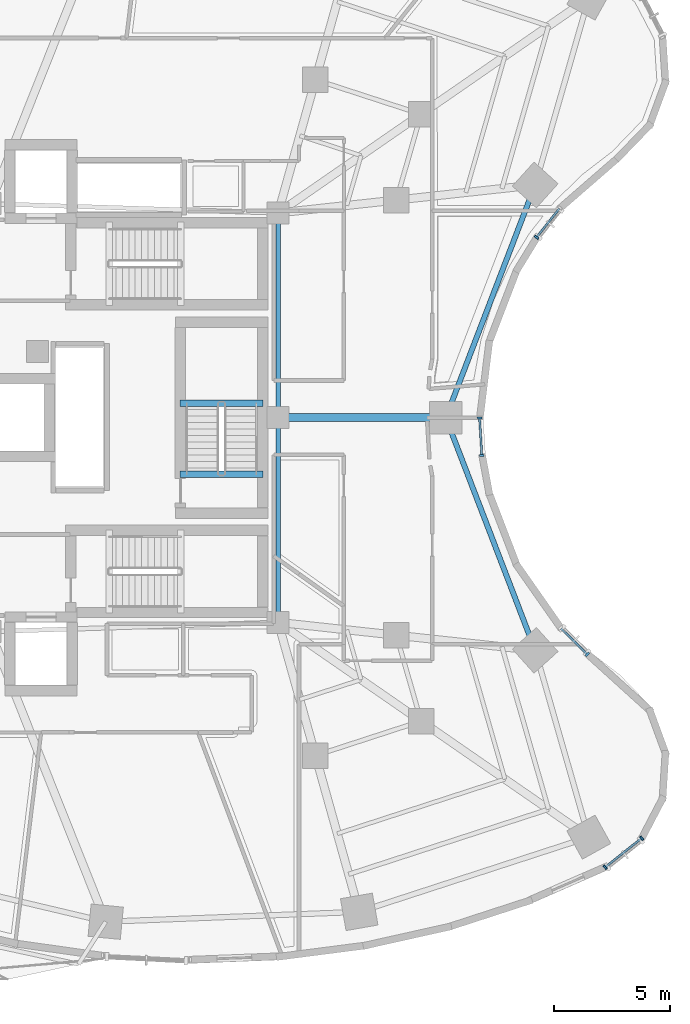
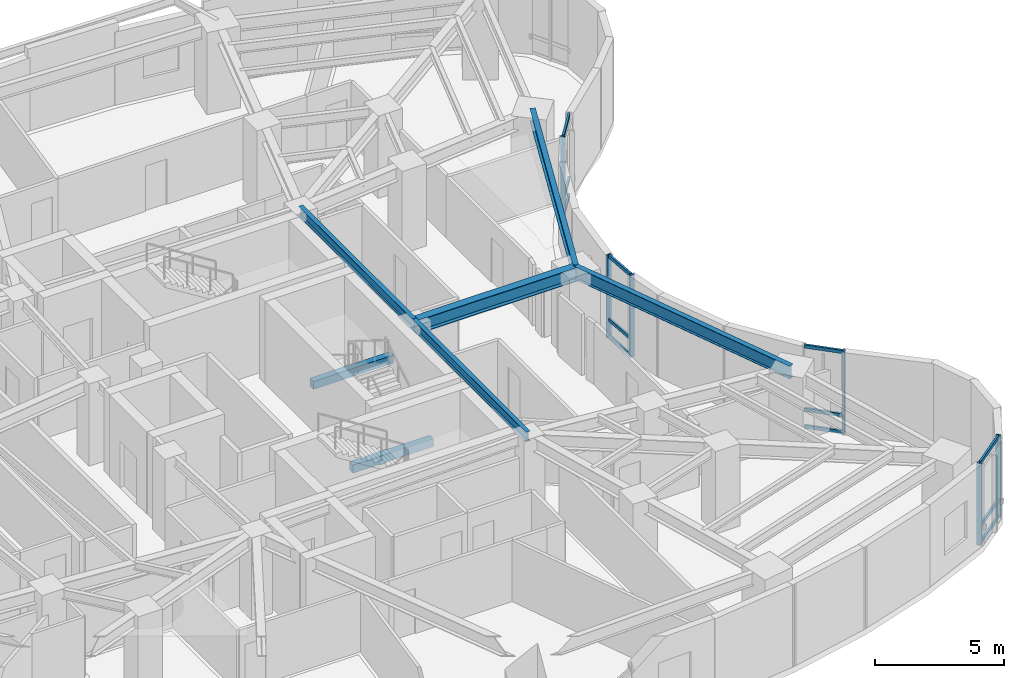
# One storey, part 4 of 16: 18 members, 7 beams, 4 elements without a shape of their own.
"""IFC4 building model written with IfcOpenShell, lengths in metres."""

from ifc_helpers import new_model, si_unit, direction, frame, origin, origin_2d, place, context, subcontext, project, spatial, rectangle, i_section, extrude, material, layer, layer_set, material_profile, profile_set, type_object, element, aggregate, save


model = new_model("IFC4")

# Units and contexts
model_context = context("Model", 3, precision=1e-05, world=origin(), true_north=direction((0.0, 1.0)))
body_context = subcontext(model_context, "Body", "Model", "MODEL_VIEW")
ifc_project = project(units=[si_unit("LENGTHUNIT", "METRE"), si_unit("AREAUNIT", "SQUARE_METRE"), si_unit("VOLUMEUNIT", "CUBIC_METRE"), si_unit("PLANEANGLEUNIT", "RADIAN"), si_unit("MASSUNIT", "GRAM", prefix="KILO")], contexts=[model_context])

# Site, building, storey
site_placement = place(None, origin())
site = spatial("IfcSite", under=ifc_project, at=site_placement, CompositionType="ELEMENT")
building_placement = place(site_placement, origin())
building = spatial("IfcBuilding", under=site, at=building_placement, Name="Korentha Bioscience Tower", CompositionType="ELEMENT")
storey_placement = place(building_placement, frame((0.0, 0.0, 55.199951171875)))
storey = spatial("IfcBuildingStorey", under=building, at=storey_placement, Name="L12", CompositionType="ELEMENT", Elevation=55.199951171875)

# Beams
ifc_material_1 = material(Name="Concrete C50", Category="concrete")
ifc_material_profile_1 = material_profile(ifc_material_1, rectangle(XDim=0.280029296875, YDim=0.3798828125, at=origin_2d()), Name="Concrete C50")
ifc_profile_set_1 = profile_set([ifc_material_profile_1], Name="Concrete C50 (ST-HB380)")
beam_type_1 = type_object("IfcBeamType", Name="Concrete Stair Header Beam RC 280x380", PredefinedType="BEAM", material=ifc_profile_set_1)
for number, where, z_axis, x_axis, name in (
    (1, (36.89990234375, 24.550048828125, -0.18994140625), (-1.0, 0.0, 0.0), (0.0, -1.0, 0.0), "L12 ST-3 Concrete Stair Header Beam"),
    (2, (36.89990234375, 27.6298828125, 1.91015625), (-1.0, 0.0, 0.0), (0.0, -1.0, 0.0), "L12 ST-3 Half-Landing Header Beam 1"),
):
    element("IfcBeam", number, at=place(storey_placement, frame(where, z_axis=z_axis, x_axis=x_axis)), inside=storey, type_object=beam_type_1, Name=name, PredefinedType="BEAM", context=body_context, shape_type="SweptSolid", body=[
        extrude(rectangle(XDim=0.280029296875, YDim=0.3798828125, at=origin_2d()), origin(), (0.0, 0.0, 1.0), 3.599853515625),
    ])
ifc_material_2 = material(Name="Steel S355", Category="steel")
ifc_material_profile_2 = material_profile(ifc_material_2, i_section(OverallWidth=0.18994140625, OverallDepth=0.45703125, WebThickness=0.009033203125, FlangeThickness=0.014404296875, at=origin_2d()), Name="Steel S355")
ifc_profile_set_2 = profile_set([ifc_material_profile_2], Name="Steel S355 (MB-460)")
beam_type_2 = type_object("IfcBeamType", Name="Mid-Ring Tie Girder W460x74", PredefinedType="BEAM", material=ifc_profile_set_2)
for number, where, z_axis, x_axis, name in (
    (3, (37.550048828125, 18.14990234375, 3.671630859375), (0.0, 1.0, 0.0), (-1.0, 0.0, 0.0), "L12 Core Ring Tie Girder 06"),
    (4, (37.550048828125, 27.0, 3.671630859375), (0.0, 1.0, 0.0), (-1.0, 0.0, 0.0), "L12 Core Ring Tie Girder 07"),
):
    element("IfcBeam", number, at=place(storey_placement, frame(where, z_axis=z_axis, x_axis=x_axis)), inside=storey, type_object=beam_type_2, Name=name, PredefinedType="BEAM", context=body_context, shape_type="SweptSolid", body=[
        extrude(i_section(OverallWidth=0.18994140625, OverallDepth=0.45703125, WebThickness=0.009033203125, FlangeThickness=0.014404296875, at=origin_2d()), origin(), (0.0, 0.0, 1.0), 8.85009765625),
    ])

# Curtain wall, members
ifc_material_3 = material(Name="Thermally Broken Aluminium Frame", Category="aluminium")
ifc_layer_1 = layer(ifc_material_3, 0.219970703125, Name="Thermally Broken Aluminium Frame")
ifc_layer_set_1 = layer_set([ifc_layer_1], Name="Thermally Broken Aluminium Frame (CW-T2)")
curtain_wall_type_1 = type_object("IfcCurtainWallType", Name="Solar-Screened Lab Unitised Curtain Wall CW-T2", PredefinedType="USERDEFINED", material=ifc_layer_set_1)
curtain_wall_1_placement = place(storey_placement, origin())
curtain_wall_1 = element("IfcCurtainWall", 5, at=curtain_wall_1_placement, inside=storey, type_object=curtain_wall_type_1, Name="L12 Curtain Wall 37", ObjectType="UNITISED", PredefinedType="USERDEFINED")
ifc_material_4 = material(Name="Anodised Aluminium 6063-T6", Category="aluminium")
ifc_material_profile_3 = material_profile(ifc_material_4, rectangle(XDim=0.090087890625, YDim=0.199951171875, at=origin_2d()), Name="Anodised Aluminium 6063-T6")
ifc_profile_set_3 = profile_set([ifc_material_profile_3], Name="Anodised Aluminium 6063-T6 (CW-MUL)")
member_type_1 = type_object("IfcMemberType", Name="Mullion RECT 90x200", PredefinedType="MULLION", material=ifc_profile_set_3)
member_1_placement = place(storey_placement, frame((51.6865234375, 7.56298828125, 0.0), z_axis=(0.0, 0.0, 1.0), x_axis=(0.782287851332, 0.62291710336, 0.0)))
member_1 = element("IfcMember", 6, at=member_1_placement, type_object=member_type_1, Name="CW-L12-37 Mullion 1", PredefinedType="MULLION", context=body_context, shape_type="SweptSolid", body=[
    extrude(rectangle(XDim=0.090087890625, YDim=0.199951171875, at=origin_2d()), origin(), (0.0, 0.0, 1.0), 3.900146484375),
])
member_2_placement = place(storey_placement, frame((53.264892578125, 8.81982421875, 0.0), z_axis=(0.0, 0.0, 1.0), x_axis=(0.782287851332, 0.62291710336, 0.0)))
member_2 = element("IfcMember", 7, at=member_2_placement, type_object=member_type_1, Name="CW-L12-37 Mullion 2", PredefinedType="MULLION", context=body_context, shape_type="SweptSolid", body=[
    extrude(rectangle(XDim=0.090087890625, YDim=0.199951171875, at=origin_2d()), origin(), (0.0, 0.0, 1.0), 3.900146484375),
])

# Curtain wall, member
curtain_wall_2_placement = place(storey_placement, origin())
curtain_wall_2 = element("IfcCurtainWall", 8, at=curtain_wall_2_placement, inside=storey, type_object=curtain_wall_type_1, Name="L12 Curtain Wall 43", ObjectType="UNITISED", PredefinedType="USERDEFINED")
member_3_placement = place(storey_placement, frame((50.913818359375, 16.76513671875, 0.0), z_axis=(0.0, 0.0, 1.0), x_axis=(-0.713279246754, 0.700879958445, 0.0)))
member_3 = element("IfcMember", 9, at=member_3_placement, type_object=member_type_1, Name="CW-L12-43 Mullion 1", PredefinedType="MULLION", context=body_context, shape_type="SweptSolid", body=[
    extrude(rectangle(XDim=0.090087890625, YDim=0.199951171875, at=origin_2d()), origin(), (0.0, 0.0, 1.0), 3.900146484375),
])

# Curtain wall, members
ifc_layer_2 = layer(ifc_material_3, 0.219970703125, Name="Thermally Broken Aluminium Frame")
ifc_layer_set_2 = layer_set([ifc_layer_2], Name="Thermally Broken Aluminium Frame (CW-T1)")
curtain_wall_type_2 = type_object("IfcCurtainWallType", Name="Standard Bioscience Lab Unitised Curtain Wall CW-T1", PredefinedType="USERDEFINED", material=ifc_layer_set_2)
curtain_wall_3_placement = place(storey_placement, origin())
curtain_wall_3 = element("IfcCurtainWall", 10, at=curtain_wall_3_placement, inside=storey, type_object=curtain_wall_type_2, Name="L12 Curtain Wall 49", ObjectType="UNITISED", PredefinedType="USERDEFINED")
member_4_placement = place(storey_placement, frame((46.355712890625, 25.3603515625, 0.0), z_axis=(0.0, 0.0, 1.0), x_axis=(-0.061008272998, 0.998137260413, 0.0)))
member_4 = element("IfcMember", 11, at=member_4_placement, type_object=member_type_1, Name="CW-L12-49 Mullion 1", PredefinedType="MULLION", context=body_context, shape_type="SweptSolid", body=[
    extrude(rectangle(XDim=0.090087890625, YDim=0.199951171875, at=origin_2d()), origin(), (0.0, 0.0, 1.0), 3.900146484375),
])
member_5_placement = place(storey_placement, frame((46.25634765625, 26.985107421875, 0.0), z_axis=(0.0, 0.0, 1.0), x_axis=(-0.061008272998, 0.998137260413, 0.0)))
member_5 = element("IfcMember", 12, at=member_5_placement, type_object=member_type_1, Name="CW-L12-49 Mullion 2", PredefinedType="MULLION", context=body_context, shape_type="SweptSolid", body=[
    extrude(rectangle(XDim=0.090087890625, YDim=0.199951171875, at=origin_2d()), origin(), (0.0, 0.0, 1.0), 3.900146484375),
])

# Curtain wall, member
curtain_wall_4_placement = place(storey_placement, origin())
curtain_wall_4 = element("IfcCurtainWall", 13, at=curtain_wall_4_placement, inside=storey, type_object=curtain_wall_type_1, Name="L12 Curtain Wall 55", ObjectType="UNITISED", PredefinedType="USERDEFINED")
member_6_placement = place(storey_placement, frame((48.719482421875, 34.7978515625, 0.0), z_axis=(0.0, 0.0, 1.0), x_axis=(0.622520324648, 0.782603632371, 0.0)))
member_6 = element("IfcMember", 14, at=member_6_placement, type_object=member_type_1, Name="CW-L12-55 Mullion 1", PredefinedType="MULLION", context=body_context, shape_type="SweptSolid", body=[
    extrude(rectangle(XDim=0.090087890625, YDim=0.199951171875, at=origin_2d()), origin(), (0.0, 0.0, 1.0), 3.900146484375),
])

# Beams
ifc_material_profile_4 = material_profile(ifc_material_2, i_section(OverallWidth=0.22802734375, OverallDepth=0.60791015625, WebThickness=0.01123046875, FlangeThickness=0.017333984375, at=origin_2d()), Name="Steel S355")
ifc_profile_set_4 = profile_set([ifc_material_profile_4], Name="Steel S355 (SB-610)")
beam_type_3 = type_object("IfcBeamType", Name="Perimeter Ring Spandrel Girder W610x113", PredefinedType="SPANDREL", material=ifc_profile_set_4)
for number, where, z_axis, x_axis, name in (
    (15, (48.661865234375, 16.939208984375, 3.595947265625), (-0.358473520253, 0.93353989485, 0.0), (-0.93353989485, -0.358473520253, 0.0), "L12 Perimeter Spandrel Girder 14"),
    (16, (44.798583984375, 27.0, 3.595947265625), (0.358473520253, 0.93353989485, 0.0), (-0.93353989485, 0.358473520253, 0.0), "L12 Perimeter Spandrel Girder 15"),
):
    element("IfcBeam", number, at=place(storey_placement, frame(where, z_axis=z_axis, x_axis=x_axis)), inside=storey, type_object=beam_type_3, Name=name, PredefinedType="SPANDREL", context=body_context, shape_type="SweptSolid", body=[
        extrude(i_section(OverallWidth=0.22802734375, OverallDepth=0.60791015625, WebThickness=0.01123046875, FlangeThickness=0.017333984375, at=origin_2d()), origin(), (0.0, 0.0, 1.0), 10.777099609375),
    ])
ifc_material_profile_5 = material_profile(ifc_material_2, i_section(OverallWidth=0.35009765625, OverallDepth=0.64990234375, WebThickness=0.01611328125, FlangeThickness=0.02490234375, at=origin_2d()), Name="Steel S355")
ifc_profile_set_5 = profile_set([ifc_material_profile_5], Name="Steel S355 (RB-650)")
beam_type_4 = type_object("IfcBeamType", Name="Radial Laboratory Girder CVS 650x208", PredefinedType="BEAM", material=ifc_profile_set_5)
beam_placement = place(storey_placement, frame((37.550048828125, 27.0, 3.574951171875), z_axis=(1.0, 0.0, 0.0), x_axis=(0.0, 1.0, 0.0)))
element("IfcBeam", 17, at=beam_placement, inside=storey, type_object=beam_type_4, Name="L12 Radial Girder 15", PredefinedType="BEAM", context=body_context, shape_type="SweptSolid", body=[
    extrude(i_section(OverallWidth=0.35009765625, OverallDepth=0.64990234375, WebThickness=0.01611328125, FlangeThickness=0.02490234375, at=origin_2d()), origin(), (0.0, 0.0, 1.0), 7.24853515625),
])

# Member
ifc_material_profile_6 = material_profile(ifc_material_4, rectangle(XDim=0.090087890625, YDim=0.159912109375, at=origin_2d()), Name="Anodised Aluminium 6063-T6")
ifc_profile_set_6 = profile_set([ifc_material_profile_6], Name="Anodised Aluminium 6063-T6 (CW-TRN)")
member_type_2 = type_object("IfcMemberType", Name="Transom RECT 90x160", PredefinedType="USERDEFINED", material=ifc_profile_set_6)
member_7_placement = place(storey_placement, frame((51.7216796875, 7.591064453125, 0.045166015625), z_axis=(0.78232471634, 0.622870803782, 0.0), x_axis=(-0.622870803782, 0.78232471634, 0.0)))
member_7 = element("IfcMember", 18, at=member_7_placement, type_object=member_type_2, Name="CW-L12-37 Bay 1 Transom 1", ObjectType="TRANSOM", PredefinedType="USERDEFINED", context=body_context, shape_type="SweptSolid", body=[
    extrude(rectangle(XDim=0.090087890625, YDim=0.159912109375, at=origin_2d()), origin(), (0.0, 0.0, 1.0), 1.927734375),
])

member_8_placement = place(storey_placement, frame((51.7216796875, 7.591064453125, 0.85009765625), z_axis=(0.78232471634, 0.622870803782, 0.0), x_axis=(-0.622870803782, 0.78232471634, 0.0)))
member_8 = element("IfcMember", 19, at=member_8_placement, type_object=member_type_2, Name="CW-L12-37 Bay 1 Transom 2", ObjectType="TRANSOM", PredefinedType="USERDEFINED", context=body_context, shape_type="SweptSolid", body=[
    extrude(rectangle(XDim=0.090087890625, YDim=0.159912109375, at=origin_2d()), origin(), (0.0, 0.0, 1.0), 1.927734375),
])

member_9_placement = place(storey_placement, frame((51.7216796875, 7.591064453125, 3.85498046875), z_axis=(0.78232471634, 0.622870803782, 0.0), x_axis=(-0.622870803782, 0.78232471634, 0.0)))
member_9 = element("IfcMember", 20, at=member_9_placement, type_object=member_type_2, Name="CW-L12-37 Bay 1 Transom 3", ObjectType="TRANSOM", PredefinedType="USERDEFINED", context=body_context, shape_type="SweptSolid", body=[
    extrude(rectangle(XDim=0.090087890625, YDim=0.159912109375, at=origin_2d()), origin(), (0.0, 0.0, 1.0), 1.927734375),
])

aggregate(curtain_wall_1, [member_1, member_2, member_7, member_8, member_9])

member_10_placement = place(storey_placement, frame((50.8818359375, 16.796875, 0.045166015625), z_axis=(-0.713350356322, 0.700807583531, 0.0), x_axis=(-0.700807583531, -0.713350356322, 0.0)))
member_10 = element("IfcMember", 21, at=member_10_placement, type_object=member_type_2, Name="CW-L12-43 Bay 1 Transom 1", ObjectType="TRANSOM", PredefinedType="USERDEFINED", context=body_context, shape_type="SweptSolid", body=[
    extrude(rectangle(XDim=0.090087890625, YDim=0.159912109375, at=origin_2d()), origin(), (0.0, 0.0, 1.0), 1.53759765625),
])

member_11_placement = place(storey_placement, frame((50.8818359375, 16.796875, 0.85009765625), z_axis=(-0.713350356322, 0.700807583531, 0.0), x_axis=(-0.700807583531, -0.713350356322, 0.0)))
member_11 = element("IfcMember", 22, at=member_11_placement, type_object=member_type_2, Name="CW-L12-43 Bay 1 Transom 2", ObjectType="TRANSOM", PredefinedType="USERDEFINED", context=body_context, shape_type="SweptSolid", body=[
    extrude(rectangle(XDim=0.090087890625, YDim=0.159912109375, at=origin_2d()), origin(), (0.0, 0.0, 1.0), 1.53759765625),
])

member_12_placement = place(storey_placement, frame((50.8818359375, 16.796875, 3.85498046875), z_axis=(-0.713350356322, 0.700807583531, 0.0), x_axis=(-0.700807583531, -0.713350356322, 0.0)))
member_12 = element("IfcMember", 23, at=member_12_placement, type_object=member_type_2, Name="CW-L12-43 Bay 1 Transom 3", ObjectType="TRANSOM", PredefinedType="USERDEFINED", context=body_context, shape_type="SweptSolid", body=[
    extrude(rectangle(XDim=0.090087890625, YDim=0.159912109375, at=origin_2d()), origin(), (0.0, 0.0, 1.0), 1.53759765625),
])

aggregate(curtain_wall_2, [member_3, member_10, member_11, member_12])

member_13_placement = place(storey_placement, frame((46.352783203125, 25.4052734375, 0.045166015625), z_axis=(-0.060964804815, 0.998139916331, 0.0), x_axis=(-0.998139916331, -0.060964804815, 0.0)))
member_13 = element("IfcMember", 24, at=member_13_placement, type_object=member_type_2, Name="CW-L12-49 Bay 1 Transom 1", ObjectType="TRANSOM", PredefinedType="USERDEFINED", context=body_context, shape_type="SweptSolid", body=[
    extrude(rectangle(XDim=0.090087890625, YDim=0.159912109375, at=origin_2d()), origin(), (0.0, 0.0, 1.0), 1.537841796875),
])

member_14_placement = place(storey_placement, frame((46.352783203125, 25.4052734375, 0.85009765625), z_axis=(-0.060964804815, 0.998139916331, 0.0), x_axis=(-0.998139916331, -0.060964804815, 0.0)))
member_14 = element("IfcMember", 25, at=member_14_placement, type_object=member_type_2, Name="CW-L12-49 Bay 1 Transom 2", ObjectType="TRANSOM", PredefinedType="USERDEFINED", context=body_context, shape_type="SweptSolid", body=[
    extrude(rectangle(XDim=0.090087890625, YDim=0.159912109375, at=origin_2d()), origin(), (0.0, 0.0, 1.0), 1.537841796875),
])

member_15_placement = place(storey_placement, frame((46.352783203125, 25.4052734375, 3.85498046875), z_axis=(-0.060964804815, 0.998139916331, 0.0), x_axis=(-0.998139916331, -0.060964804815, 0.0)))
member_15 = element("IfcMember", 26, at=member_15_placement, type_object=member_type_2, Name="CW-L12-49 Bay 1 Transom 3", ObjectType="TRANSOM", PredefinedType="USERDEFINED", context=body_context, shape_type="SweptSolid", body=[
    extrude(rectangle(XDim=0.090087890625, YDim=0.159912109375, at=origin_2d()), origin(), (0.0, 0.0, 1.0), 1.537841796875),
])

aggregate(curtain_wall_3, [member_4, member_5, member_13, member_14, member_15])

member_16_placement = place(storey_placement, frame((48.74755859375, 34.8330078125, 0.045166015625), z_axis=(0.622563336945, 0.782569416405, 0.0), x_axis=(-0.782569416405, 0.622563336945, 0.0)))
member_16 = element("IfcMember", 27, at=member_16_placement, type_object=member_type_2, Name="CW-L12-55 Bay 1 Transom 1", ObjectType="TRANSOM", PredefinedType="USERDEFINED", context=body_context, shape_type="SweptSolid", body=[
    extrude(rectangle(XDim=0.090087890625, YDim=0.159912109375, at=origin_2d()), origin(), (0.0, 0.0, 1.0), 1.5380859375),
])

member_17_placement = place(storey_placement, frame((48.74755859375, 34.8330078125, 0.85009765625), z_axis=(0.622563336945, 0.782569416405, 0.0), x_axis=(-0.782569416405, 0.622563336945, 0.0)))
member_17 = element("IfcMember", 28, at=member_17_placement, type_object=member_type_2, Name="CW-L12-55 Bay 1 Transom 2", ObjectType="TRANSOM", PredefinedType="USERDEFINED", context=body_context, shape_type="SweptSolid", body=[
    extrude(rectangle(XDim=0.090087890625, YDim=0.159912109375, at=origin_2d()), origin(), (0.0, 0.0, 1.0), 1.5380859375),
])

member_18_placement = place(storey_placement, frame((48.74755859375, 34.8330078125, 3.85498046875), z_axis=(0.622563336945, 0.782569416405, 0.0), x_axis=(-0.782569416405, 0.622563336945, 0.0)))
member_18 = element("IfcMember", 29, at=member_18_placement, type_object=member_type_2, Name="CW-L12-55 Bay 1 Transom 3", ObjectType="TRANSOM", PredefinedType="USERDEFINED", context=body_context, shape_type="SweptSolid", body=[
    extrude(rectangle(XDim=0.090087890625, YDim=0.159912109375, at=origin_2d()), origin(), (0.0, 0.0, 1.0), 1.5380859375),
])

aggregate(curtain_wall_4, [member_6, member_16, member_17, member_18])

save(model, "model.ifc")
